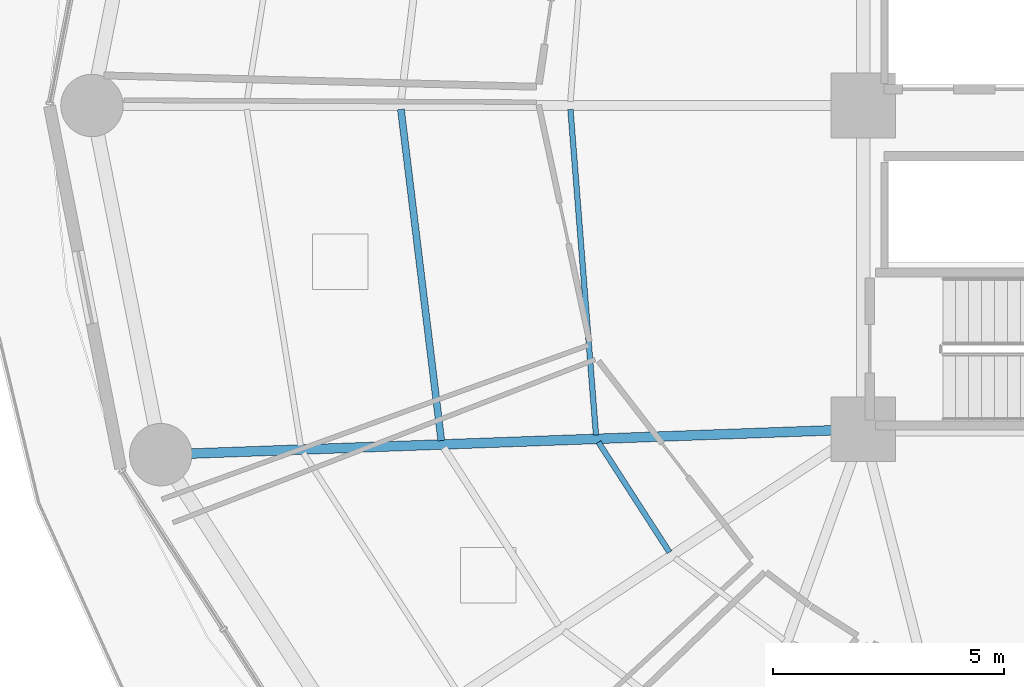
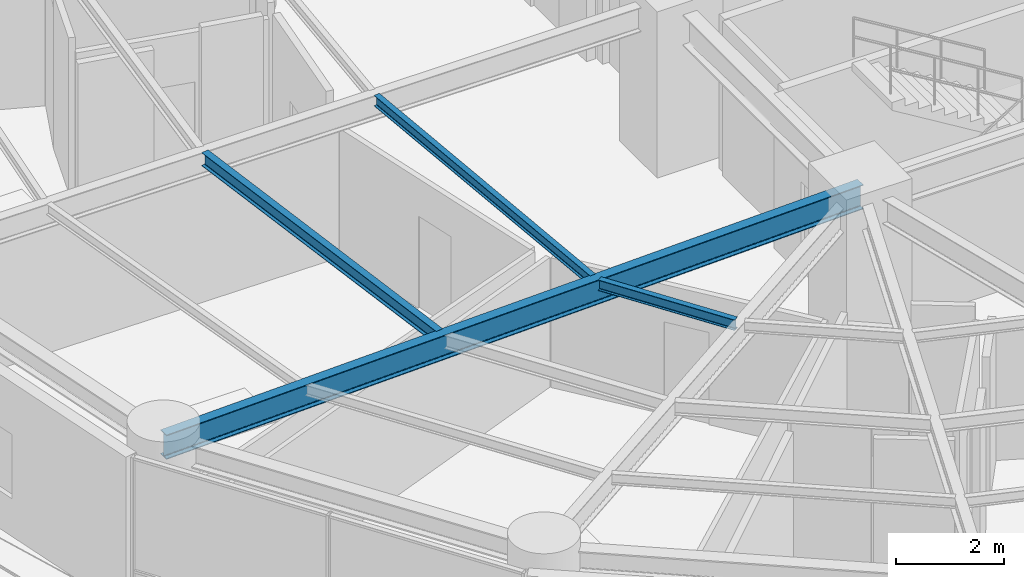
# One storey, part 5 of 33: 4 beams.
"""IFC4 building model written with IfcOpenShell, lengths in metres."""

from ifc_helpers import new_model, si_unit, direction, frame, origin, origin_2d, place, context, subcontext, project, spatial, i_section, extrude, material, material_profile, profile_set, type_object, element, save


model = new_model("IFC4")

# Units and contexts
model_context = context("Model", 3, precision=1e-05, world=origin(), true_north=direction((0.0, 1.0)))
body_context = subcontext(model_context, "Body", "Model", "MODEL_VIEW")
ifc_project = project(units=[si_unit("LENGTHUNIT", "METRE"), si_unit("AREAUNIT", "SQUARE_METRE"), si_unit("VOLUMEUNIT", "CUBIC_METRE"), si_unit("PLANEANGLEUNIT", "RADIAN"), si_unit("MASSUNIT", "GRAM", prefix="KILO")], contexts=[model_context])

# Site, building, storey
site_placement = place(None, origin())
site = spatial("IfcSite", under=ifc_project, at=site_placement, CompositionType="ELEMENT")
building_placement = place(site_placement, origin())
building = spatial("IfcBuilding", under=site, at=building_placement, Name="Kelanora Arch Commons", CompositionType="ELEMENT")
storey_placement = place(building_placement, frame((0.0, 0.0, 80.10009765625)))
storey = spatial("IfcBuildingStorey", under=building, at=storey_placement, Name="L20", CompositionType="ELEMENT", Elevation=80.10009765625)

# Beams
ifc_material = material(Name="Steel S355", Category="steel")
ifc_material_profile_1 = material_profile(ifc_material, i_section(OverallWidth=0.14990234375, OverallDepth=0.300048828125, WebThickness=0.007080078125, FlangeThickness=0.0107421875, FilletRadius=0.014892578125, at=origin_2d()), Name="IPE300")
ifc_profile_set_1 = profile_set([ifc_material_profile_1], Name="Steel S355")
beam_type_1 = type_object("IfcBeamType", Name="BM-JST-01", PredefinedType="JOIST", material=ifc_profile_set_1)
beam_1_placement = place(storey_placement, frame((56.002197265625, 57.91552734375, 3.33984375), z_axis=(0.120935645266, -0.992660349618, 0.0), x_axis=(0.992660349618, 0.120935645266, 0.0)))
element("IfcBeam", 1, at=beam_1_placement, inside=storey, type_object=beam_type_1, Name="Secondary Chord Joist BJB-18 L20", PredefinedType="JOIST", context=body_context, shape_type="SweptSolid", body=[
    extrude(i_section(OverallWidth=0.14990234375, OverallDepth=0.300048828125, WebThickness=0.007080078125, FlangeThickness=0.0107421875, FilletRadius=0.014892578125, at=origin_2d()), origin(), (0.0, 0.0, 1.0), 7.215087890625),
])
ifc_material_profile_2 = material_profile(ifc_material, i_section(OverallWidth=0.1201171875, OverallDepth=0.239990234375, WebThickness=0.006103515625, FlangeThickness=0.009765625, FilletRadius=0.014892578125, at=origin_2d()), Name="IPE240")
ifc_profile_set_2 = profile_set([ifc_material_profile_2], Name="Steel S355")
beam_type_2 = type_object("IfcBeamType", Name="BM-JST-02", PredefinedType="JOIST", material=ifc_profile_set_2)
beam_2_placement = place(storey_placement, frame((59.668212890625, 57.915283203125, 3.369873046875), z_axis=(0.078200677502, -0.996937637989, 0.0), x_axis=(0.996937637989, 0.078200677502, 0.0)))
element("IfcBeam", 2, at=beam_2_placement, inside=storey, type_object=beam_type_2, Name="Secondary Chord Joist BJA-18 L20", PredefinedType="JOIST", context=body_context, shape_type="SweptSolid", body=[
    extrude(i_section(OverallWidth=0.1201171875, OverallDepth=0.239990234375, WebThickness=0.006103515625, FlangeThickness=0.009765625, FilletRadius=0.014892578125, at=origin_2d()), origin(), (0.0, 0.0, 1.0), 7.06201171875),
])
beam_3_placement = place(storey_placement, frame((60.273193359375, 50.718994140625, 3.369873046875), z_axis=(0.542211255502, -0.840242199849, 0.0), x_axis=(0.840242199849, 0.542211255502, 0.0)))
element("IfcBeam", 3, at=beam_3_placement, inside=storey, type_object=beam_type_2, Name="Secondary Chord Joist BJA-20 L20", PredefinedType="JOIST", context=body_context, shape_type="SweptSolid", body=[
    extrude(i_section(OverallWidth=0.1201171875, OverallDepth=0.239990234375, WebThickness=0.006103515625, FlangeThickness=0.009765625, FilletRadius=0.014892578125, at=origin_2d()), origin(), (0.0, 0.0, 1.0), 2.83349609375),
])
ifc_material_profile_3 = material_profile(ifc_material, i_section(OverallWidth=0.2099609375, OverallDepth=0.550048828125, WebThickness=0.010986328125, FlangeThickness=0.01708984375, FilletRadius=0.02392578125, at=origin_2d()), Name="IPE550")
ifc_profile_set_3 = profile_set([ifc_material_profile_3], Name="Steel S355")
beam_type_3 = type_object("IfcBeamType", Name="BM-RAD-Z2", PredefinedType="BEAM", material=ifc_profile_set_3)
beam_4_placement = place(storey_placement, frame((66.0, 51.0, 3.21484375), z_axis=(-0.999341087625, -0.036295875581, 0.0), x_axis=(0.036295875581, -0.999341087625, 0.0)))
element("IfcBeam", 4, at=beam_4_placement, inside=storey, type_object=beam_type_3, Name="Radial Floor Girder BR-20 L20", PredefinedType="BEAM", context=body_context, shape_type="SweptSolid", body=[
    extrude(i_section(OverallWidth=0.2099609375, OverallDepth=0.550048828125, WebThickness=0.010986328125, FlangeThickness=0.01708984375, FilletRadius=0.02392578125, at=origin_2d()), origin(), (0.0, 0.0, 1.0), 15.20166015625),
])

save(model, "model.ifc")
